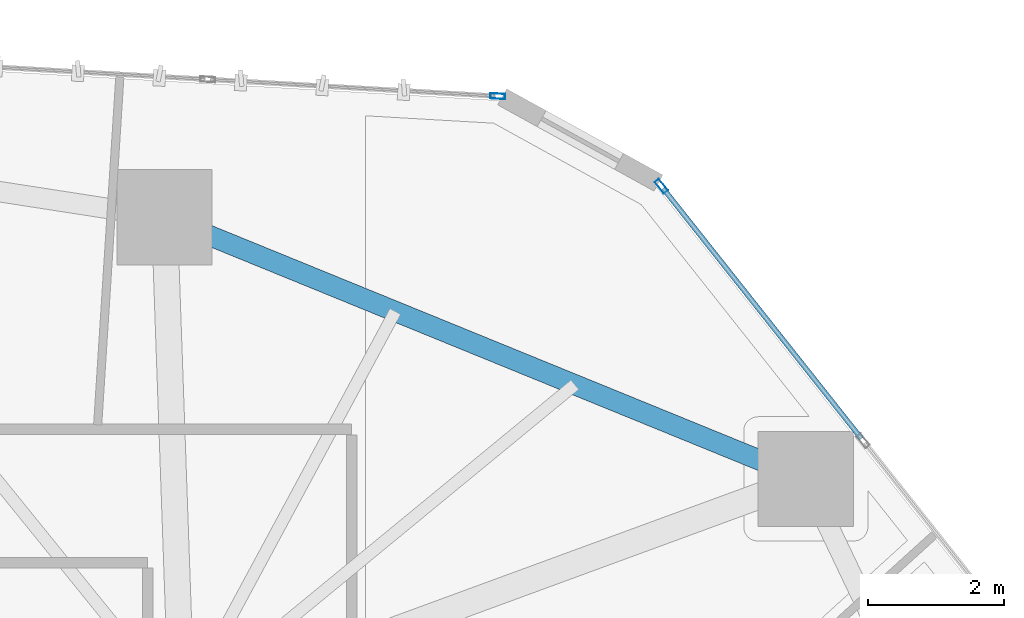
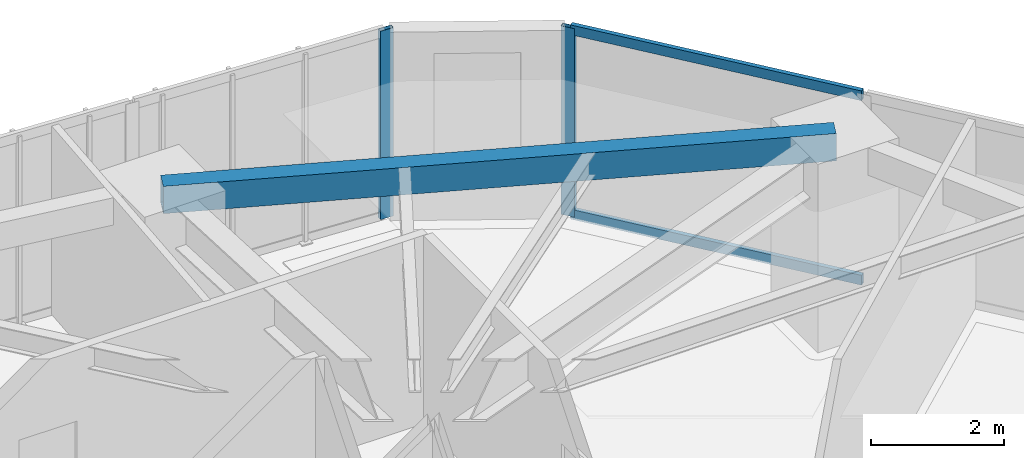
# One storey, part 17 of 24: 4 members, 1 beam, 2 elements without a shape of their own.
"""IFC4 building model written with IfcOpenShell, lengths in metres."""

from ifc_helpers import new_model, si_unit, direction, frame, origin, origin_2d, place, context, subcontext, project, spatial, hollow_rectangle, extrude, source, transform, mapped, material, layer, layer_set, material_profile, profile_set, type_object, type_shapes, element, aggregate, save


model = new_model("IFC4")

# Units and contexts
model_context = context("Model", 3, precision=1e-05, world=origin(), true_north=direction((0.0, 1.0)))
body_context = subcontext(model_context, "Body", "Model", "MODEL_VIEW")
ifc_project = project(units=[si_unit("LENGTHUNIT", "METRE"), si_unit("AREAUNIT", "SQUARE_METRE"), si_unit("VOLUMEUNIT", "CUBIC_METRE"), si_unit("PLANEANGLEUNIT", "RADIAN"), si_unit("MASSUNIT", "GRAM", prefix="KILO")], contexts=[model_context])

# Site, building, storey
site_placement = place(None, origin())
site = spatial("IfcSite", under=ifc_project, at=site_placement, CompositionType="ELEMENT")
building_placement = place(site_placement, origin())
building = spatial("IfcBuilding", under=site, at=building_placement, Name="Talar Marvaseh", CompositionType="ELEMENT")
storey_placement = place(building_placement, frame((0.0, 0.0, 81.0)))
storey = spatial("IfcBuildingStorey", under=building, at=storey_placement, Name="L20", CompositionType="ELEMENT", Elevation=81.0)

# Beam
ifc_material_1 = material(Name="Steel S355", Category="steel")
ifc_material_profile_1 = material_profile(ifc_material_1, hollow_rectangle(XDim=0.300048828125, YDim=0.5, WallThickness=0.02001953125, at=origin_2d()), Name="RHS500x300x20")
ifc_profile_set_1 = profile_set([ifc_material_profile_1], Name="Steel S355")
beam_type = type_object("IfcBeamType", Name="Zone 1 Perimeter Spandrel Beam RHS500x300x20", PredefinedType="SPANDREL", material=ifc_profile_set_1)
beam_placement = place(storey_placement, frame((33.0458984375, 44.117919921875, 3.199951171875), z_axis=(0.92586732306, -0.377848779395, 0.0), x_axis=(0.377848779395, 0.92586732306, 0.0)))
element("IfcBeam", 1, at=beam_placement, inside=storey, type_object=beam_type, Name="L20 Zone 1 Perimeter Spandrel Beam RHS500x300x20", PredefinedType="SPANDREL", context=body_context, shape_type="SweptSolid", body=[
    extrude(hollow_rectangle(XDim=0.300048828125, YDim=0.5, WallThickness=0.02001953125, at=origin_2d()), origin(), (0.0, 0.0, 1.0), 10.186279296875),
])

# Curtain wall, members
ifc_material_2 = material(Name="Architectural Aluminium", Category="aluminium")
ifc_layer = layer(ifc_material_2, 0.219970703125)
ifc_layer_set = layer_set([ifc_layer], Name="Architectural Aluminium")
curtain_wall_type = type_object("IfcCurtainWallType", Name="Unitised Low-E Museum Curtain Wall Z1", PredefinedType="NOTDEFINED", material=ifc_layer_set)
curtain_wall_1_placement = place(storey_placement, origin())
curtain_wall_1 = element("IfcCurtainWall", 2, at=curtain_wall_1_placement, inside=storey, type_object=curtain_wall_type, Name="L20 Unitised Low-E Museum Curtain Wall Z1", PredefinedType="NOTDEFINED")
ifc_material_profile_2 = material_profile(ifc_material_2, hollow_rectangle(XDim=0.074951171875, YDim=0.179931640625, WallThickness=0.0048828125, at=origin_2d()), Name="RHS180x75x5")
ifc_profile_set_2 = profile_set([ifc_material_profile_2], Name="Architectural Aluminium")
member_type_1 = type_object("IfcMemberType", Name="Unitised Curtain Wall Transom RHS180x75x5", PredefinedType="USERDEFINED", material=ifc_profile_set_2)
shared_shape_1 = source(origin(), body_context, "Body", "SweptSolid", [
    extrude(hollow_rectangle(XDim=0.074951171875, YDim=0.179931640625, WallThickness=0.0048828125, at=origin_2d()), origin(), (0.0, 0.0, 1.0), 4.696533203125),
])
type_shapes(member_type_1, [shared_shape_1])
member_1_placement = place(storey_placement, frame((40.378173828125, 44.54296875, 0.03759765625), z_axis=(0.621202125836, -0.7836503805, 0.0), x_axis=(0.7836503805, 0.621202125836, 0.0)))
member_1 = element("IfcMember", 3, at=member_1_placement, type_object=member_type_1, Name="CW-Z1 transom 1.1", ObjectType="TRANSOM", PredefinedType="USERDEFINED", context=body_context, shape_type="MappedRepresentation", body=[
    mapped(shared_shape_1, transform((0.0, 0.0, 0.0), x_axis=(1.0, 0.0, 0.0), y_axis=(0.0, 1.0, 0.0), z_axis=(0.0, 0.0, 1.0), scale=1.0)),
])
member_2_placement = place(storey_placement, frame((40.378173828125, 44.54296875, 3.41259765625), z_axis=(0.621202125836, -0.7836503805, 0.0), x_axis=(0.7836503805, 0.621202125836, 0.0)))
member_2 = element("IfcMember", 4, at=member_2_placement, type_object=member_type_1, Name="CW-Z1 transom 1.2", ObjectType="TRANSOM", PredefinedType="USERDEFINED", context=body_context, shape_type="MappedRepresentation", body=[
    mapped(shared_shape_1, transform((0.0, 0.0, 0.0), x_axis=(1.0, 0.0, 0.0), y_axis=(0.0, 1.0, 0.0), z_axis=(0.0, 0.0, 1.0), scale=1.0)),
])

# Curtain wall, member
curtain_wall_2_placement = place(storey_placement, origin())
curtain_wall_2 = element("IfcCurtainWall", 5, at=curtain_wall_2_placement, inside=storey, type_object=curtain_wall_type, Name="L20 Unitised Low-E Museum Curtain Wall Z1", PredefinedType="NOTDEFINED")
ifc_material_profile_3 = material_profile(ifc_material_2, hollow_rectangle(XDim=0.080078125, YDim=0.219970703125, WallThickness=0.0048828125, at=origin_2d()), Name="RHS220x80x5")
ifc_profile_set_3 = profile_set([ifc_material_profile_3], Name="Architectural Aluminium")
member_type_2 = type_object("IfcMemberType", Name="Unitised Curtain Wall Heavy Mullion RHS220x80x5", PredefinedType="MULLION", material=ifc_profile_set_3)
shared_shape_2 = source(origin(), body_context, "Body", "SweptSolid", [
    extrude(hollow_rectangle(XDim=0.080078125, YDim=0.219970703125, WallThickness=0.0048828125, at=origin_2d()), origin(), (0.0, 0.0, 1.0), 3.449951171875),
])
type_shapes(member_type_2, [shared_shape_2])
member_3_placement = place(storey_placement, frame((37.94775390625, 45.8974609375, 0.0), z_axis=(0.0, 0.0, 1.0), x_axis=(0.057875021972, 0.998323836153, 0.0)))
member_3 = element("IfcMember", 6, at=member_3_placement, type_object=member_type_2, Name="CW-Z1 mullion 5", PredefinedType="MULLION", context=body_context, shape_type="MappedRepresentation", body=[
    mapped(shared_shape_2, transform((0.0, 0.0, 0.0), x_axis=(1.0, 0.0, 0.0), y_axis=(0.0, 1.0, 0.0), z_axis=(0.0, 0.0, 1.0), scale=1.0)),
])
aggregate(curtain_wall_2, [member_3])

# Member
member_4_placement = place(storey_placement, frame((40.353271484375, 44.574462890625, 0.0), z_axis=(0.0, 0.0, 1.0), x_axis=(0.783650669629, 0.621201761097, 0.0)))
member_4 = element("IfcMember", 7, at=member_4_placement, type_object=member_type_2, Name="CW-Z1 mullion 1", PredefinedType="MULLION", context=body_context, shape_type="MappedRepresentation", body=[
    mapped(shared_shape_2, transform((0.0, 0.0, 0.0), x_axis=(1.0, 0.0, 0.0), y_axis=(0.0, 1.0, 0.0), z_axis=(0.0, 0.0, 1.0), scale=1.0)),
])

aggregate(curtain_wall_1, [member_4, member_1, member_2])

save(model, "model.ifc")
